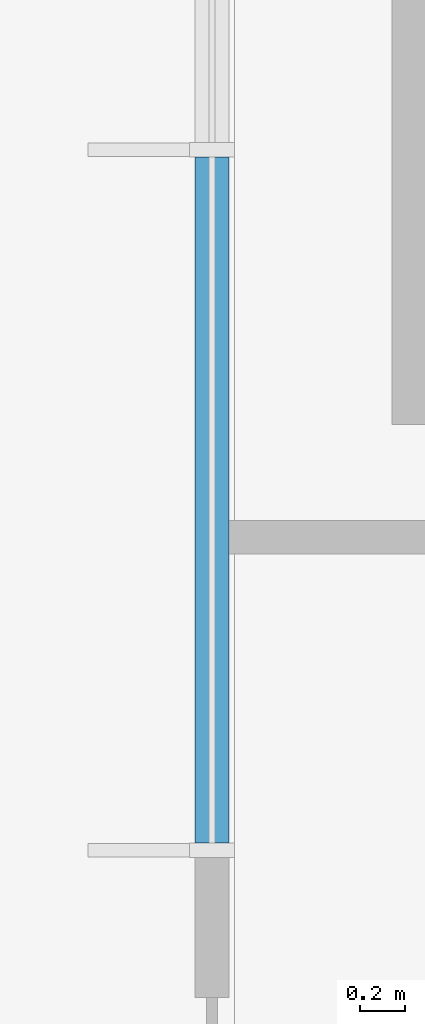
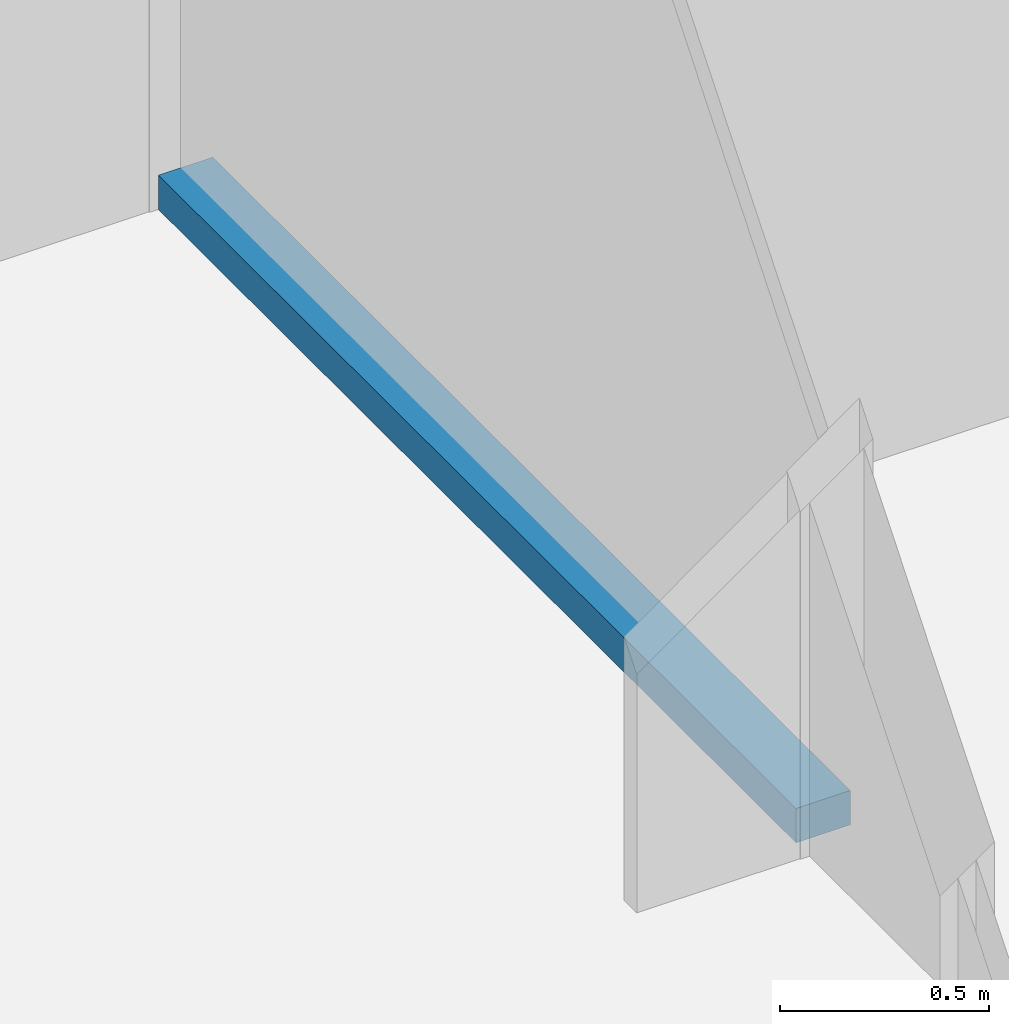
# One storey, part 3 of 12: 1 member, 1 element without a shape of its own.
"""IFC4 building model written with IfcOpenShell, lengths in metres."""

from ifc_helpers import new_model, si_unit, direction, frame, origin, origin_2d, place, context, subcontext, project, spatial, rectangle, extrude, material, layer, layer_set, material_profile, profile_set, type_object, element, aggregate, save


model = new_model("IFC4")

# Units and contexts
model_context = context("Model", 3, precision=1e-05, world=origin(), true_north=direction((0.0, 1.0)))
body_context = subcontext(model_context, "Body", "Model", "MODEL_VIEW")
ifc_project = project(units=[si_unit("LENGTHUNIT", "METRE"), si_unit("AREAUNIT", "SQUARE_METRE"), si_unit("VOLUMEUNIT", "CUBIC_METRE"), si_unit("PLANEANGLEUNIT", "RADIAN"), si_unit("MASSUNIT", "GRAM", prefix="KILO")], contexts=[model_context])

# Site, building, storey
site_placement = place(None, origin())
site = spatial("IfcSite", under=ifc_project, at=site_placement, CompositionType="ELEMENT")
building_placement = place(site_placement, origin())
building = spatial("IfcBuilding", under=site, at=building_placement, Name="Highveld Stack Headquarters", CompositionType="ELEMENT")
storey_placement = place(building_placement, frame((0.0, 0.0, 41.60009765625)))
storey = spatial("IfcBuildingStorey", under=building, at=storey_placement, Name="L09", CompositionType="ELEMENT", Elevation=41.60009765625)

# Curtain wall, member
ifc_material_1 = material(Name="Aluminium bronze anodised", Category="aluminium")
ifc_layer = layer(ifc_material_1, 0.199951171875)
ifc_layer_set = layer_set([ifc_layer], Name="Aluminium bronze anodised")
curtain_wall_type = type_object("IfcCurtainWallType", Name="CW1 TOWER UNITISED CURTAIN WALL", PredefinedType="NOTDEFINED", material=ifc_layer_set)
curtain_wall_placement = place(storey_placement, origin())
curtain_wall = element("IfcCurtainWall", 1, at=curtain_wall_placement, inside=storey, type_object=curtain_wall_type, Name="Curtain wall CW1 L09 W-1", PredefinedType="NOTDEFINED")
ifc_material_2 = material(Name="Aluminium bronze anodised", Category="aluminium")
ifc_material_profile = material_profile(ifc_material_2, rectangle(XDim=0.14990234375, YDim=0.10009765625, at=origin_2d()), Name="CW1 TRANSOM 150x100")
ifc_profile_set = profile_set([ifc_material_profile], Name="Aluminium bronze anodised")
member_type = type_object("IfcMemberType", Name="CW1 STACK TRANSOM 150x100", PredefinedType="USERDEFINED", material=ifc_profile_set)
member_placement = place(storey_placement, frame((-19.60009765625, 6.1884765625, 0.0498046875), z_axis=(0.0, -1.0, 0.0), x_axis=(1.0, 0.0, 0.0)))
member = element("IfcMember", 2, at=member_placement, type_object=member_type, Name="CW1 transom L09 5.1", ObjectType="TRANSOM", PredefinedType="USERDEFINED", context=body_context, shape_type="SweptSolid", body=[
    extrude(rectangle(XDim=0.14990234375, YDim=0.10009765625, at=origin_2d()), origin(), (0.0, 0.0, 1.0), 3.04541015625),
])
aggregate(curtain_wall, [member])

save(model, "model.ifc")
